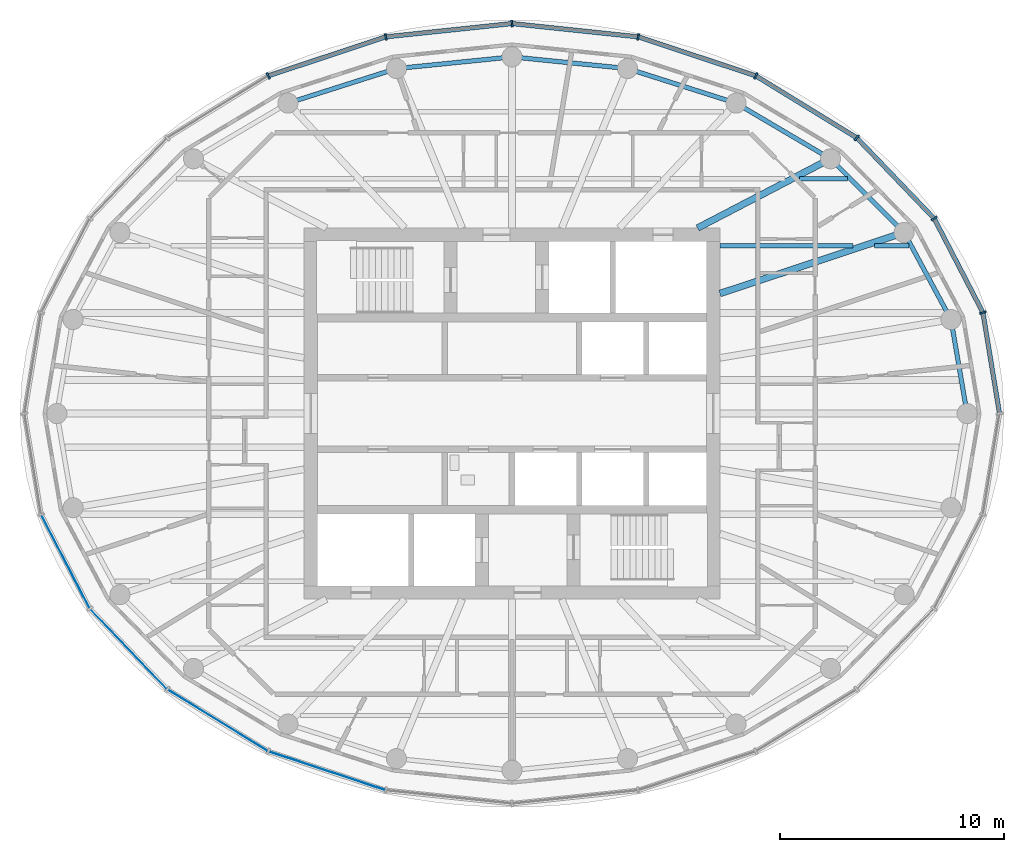
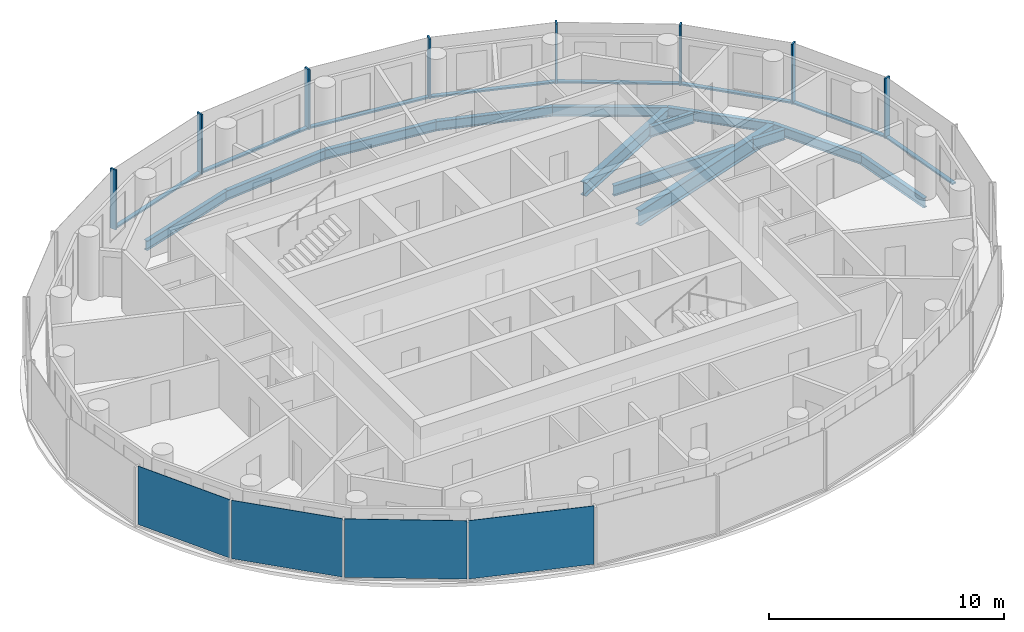
# One storey, part 3 of 12: 16 members, 13 beams, 4 plates, 3 elements without a shape of their own.
"""IFC4 building model written with IfcOpenShell, lengths in metres."""

from ifc_helpers import new_model, si_unit, direction, frame, origin, origin_2d, place, context, subcontext, project, spatial, rectangle, i_section, extrude, material, layer, layer_set, material_profile, profile_set, type_object, element, aggregate, save


model = new_model("IFC4")

# Units and contexts
model_context = context("Model", 3, precision=1e-05, world=origin(), true_north=direction((0.0, 1.0)))
body_context = subcontext(model_context, "Body", "Model", "MODEL_VIEW")
ifc_project = project(units=[si_unit("LENGTHUNIT", "METRE"), si_unit("AREAUNIT", "SQUARE_METRE"), si_unit("VOLUMEUNIT", "CUBIC_METRE"), si_unit("PLANEANGLEUNIT", "RADIAN"), si_unit("MASSUNIT", "GRAM", prefix="KILO")], contexts=[model_context])

# Site, building, storey
site_placement = place(None, origin())
site = spatial("IfcSite", under=ifc_project, at=site_placement, CompositionType="ELEMENT")
building_placement = place(site_placement, origin())
building = spatial("IfcBuilding", under=site, at=building_placement, Name="Hankou Lantern Tower", CompositionType="ELEMENT")
storey_placement = place(building_placement, frame((0.0, 0.0, 219.300048828125)))
storey = spatial("IfcBuildingStorey", under=building, at=storey_placement, Name="L59", CompositionType="ELEMENT", Elevation=219.300048828125)

# Beams
ifc_material_1 = material(Name="Steel Q355B", Category="steel")
ifc_material_profile_1 = material_profile(ifc_material_1, i_section(OverallWidth=0.199951171875, OverallDepth=0.5, WebThickness=0.010009765625, FlangeThickness=0.01611328125, FilletRadius=0.012939453125, at=origin_2d()), Name="HN500x200x10x16")
ifc_profile_set_1 = profile_set([ifc_material_profile_1], Name="Steel Q355B")
beam_type_1 = type_object("IfcBeamType", Name="EB5 RING BEAM HN500x200x10x16", PredefinedType="SPANDREL", material=ifc_profile_set_1)
beam_1_placement = place(storey_placement, frame((20.35009765625, 0.0, -0.429931640625), z_axis=(-0.168876512999, 0.98563721691, 0.0), x_axis=(-0.98563721691, -0.168876512999, 0.0)))
element("IfcBeam", 1, at=beam_1_placement, inside=storey, type_object=beam_type_1, Name="Ring beam R01-R02 L59", PredefinedType="SPANDREL", context=body_context, shape_type="SweptSolid", body=[
    extrude(i_section(OverallWidth=0.199951171875, OverallDepth=0.5, WebThickness=0.010009765625, FlangeThickness=0.01611328125, FilletRadius=0.012939453125, at=origin_2d()), origin(), (0.0, 0.0, 1.0), 4.26904296875),
])
beam_2_placement = place(storey_placement, frame((19.629150390625, 4.207763671875, -0.429931640625), z_axis=(-0.474491806611, 0.880259919262, 0.0), x_axis=(-0.880259919262, -0.474491806611, 0.0)))
element("IfcBeam", 2, at=beam_2_placement, inside=storey, type_object=beam_type_1, Name="Ring beam R02-R03 L59", PredefinedType="SPANDREL", context=body_context, shape_type="SweptSolid", body=[
    extrude(i_section(OverallWidth=0.199951171875, OverallDepth=0.5, WebThickness=0.010009765625, FlangeThickness=0.01611328125, FilletRadius=0.012939453125, at=origin_2d()), origin(), (0.0, 0.0, 1.0), 4.419189453125),
])
beam_3_placement = place(storey_placement, frame((17.5322265625, 8.097900390625, -0.429931640625), z_axis=(-0.706608588034, 0.707604623583, 0.0), x_axis=(-0.707604623583, -0.706608588034, 0.0)))
element("IfcBeam", 3, at=beam_3_placement, inside=storey, type_object=beam_type_1, Name="Ring beam R03-R04 L59", PredefinedType="SPANDREL", context=body_context, shape_type="SweptSolid", body=[
    extrude(i_section(OverallWidth=0.199951171875, OverallDepth=0.5, WebThickness=0.010009765625, FlangeThickness=0.01611328125, FilletRadius=0.012939453125, at=origin_2d()), origin(), (0.0, 0.0, 1.0), 4.6572265625),
])
beam_4_placement = place(storey_placement, frame((14.241455078125, 11.393310546875, -0.429931640625), z_axis=(-0.861422897323, 0.507888365655, 0.0), x_axis=(-0.507888365655, -0.861422897323, 0.0)))
element("IfcBeam", 4, at=beam_4_placement, inside=storey, type_object=beam_type_1, Name="Ring beam R04-R05 L59", PredefinedType="SPANDREL", context=body_context, shape_type="SweptSolid", body=[
    extrude(i_section(OverallWidth=0.199951171875, OverallDepth=0.5, WebThickness=0.010009765625, FlangeThickness=0.01611328125, FilletRadius=0.012939453125, at=origin_2d()), origin(), (0.0, 0.0, 1.0), 4.901611328125),
])
beam_5_placement = place(storey_placement, frame((10.01904296875, 13.8828125, -0.429931640625), z_axis=(-0.952887359315, 0.303324381574, 0.0), x_axis=(-0.303324381574, -0.952887359315, 0.0)))
element("IfcBeam", 5, at=beam_5_placement, inside=storey, type_object=beam_type_1, Name="Ring beam R05-R06 L59", PredefinedType="SPANDREL", context=body_context, shape_type="SweptSolid", body=[
    extrude(i_section(OverallWidth=0.199951171875, OverallDepth=0.5, WebThickness=0.010009765625, FlangeThickness=0.01611328125, FilletRadius=0.012939453125, at=origin_2d()), origin(), (0.0, 0.0, 1.0), 5.091796875),
])
for number, where, z_axis, x_axis, name in (
    (6, (5.167236328125, 15.42724609375, -0.429931640625), (-0.994922507736, 0.100643944676, 0.0), (-0.100643944676, -0.994922507736, 0.0), "Ring beam R06-R07 L59"),
    (7, (0.0, 15.949951171875, -0.429931640625), (-0.994922507736, -0.100643944676, 0.0), (0.100643944676, -0.994922507736, 0.0), "Ring beam R07-R08 L59"),
):
    element("IfcBeam", number, at=place(storey_placement, frame(where, z_axis=z_axis, x_axis=x_axis)), inside=storey, type_object=beam_type_1, Name=name, PredefinedType="SPANDREL", context=body_context, shape_type="SweptSolid", body=[
        extrude(i_section(OverallWidth=0.199951171875, OverallDepth=0.5, WebThickness=0.010009765625, FlangeThickness=0.01611328125, FilletRadius=0.012939453125, at=origin_2d()), origin(), (0.0, 0.0, 1.0), 5.193603515625),
    ])
beam_6_placement = place(storey_placement, frame((-5.167236328125, 15.42724609375, -0.429931640625), z_axis=(-0.952887359315, -0.303324381574, 0.0), x_axis=(0.303324381574, -0.952887359315, 0.0)))
element("IfcBeam", 8, at=beam_6_placement, inside=storey, type_object=beam_type_1, Name="Ring beam R08-R09 L59", PredefinedType="SPANDREL", context=body_context, shape_type="SweptSolid", body=[
    extrude(i_section(OverallWidth=0.199951171875, OverallDepth=0.5, WebThickness=0.010009765625, FlangeThickness=0.01611328125, FilletRadius=0.012939453125, at=origin_2d()), origin(), (0.0, 0.0, 1.0), 5.091796875),
])

# Curtain wall, members
ifc_material_2 = material(Name="Glass, dark grey tinted laminated", Category="glass")
curtain_wall_type = type_object("IfcCurtainWallType", Name="CWD OUTER SKIN SUITE", PredefinedType="USERDEFINED", material=ifc_material_2)
curtain_wall_1_placement = place(storey_placement, origin())
curtain_wall_1 = element("IfcCurtainWall", 9, at=curtain_wall_1_placement, inside=storey, type_object=curtain_wall_type, Name="CWD L59 OS1", ObjectType="OUTER SKIN SUITE", PredefinedType="USERDEFINED")
ifc_material_3 = material(Name="Aluminium, black anodised", Category="aluminium")
ifc_material_profile_2 = material_profile(ifc_material_3, rectangle(XDim=0.080078125, YDim=0.300048828125, at=origin_2d()), Name="MU1 80X300")
ifc_profile_set_2 = profile_set([ifc_material_profile_2], Name="Aluminium, black anodised")
member_type_1 = type_object("IfcMemberType", Name="MU1 OUTER SKIN MULLION 80X300", PredefinedType="MULLION", material=ifc_profile_set_2)
member_1_placement = place(storey_placement, frame((21.05712890625, 4.513916015625, 0.0), z_axis=(0.0, 0.0, 1.0), x_axis=(-0.317595577365, 0.94822626479, 0.0)))
member_1 = element("IfcMember", 10, at=member_1_placement, type_object=member_type_1, Name="CWD mullion 2", PredefinedType="MULLION", context=body_context, shape_type="SweptSolid", body=[
    extrude(rectangle(XDim=0.080078125, YDim=0.300048828125, at=origin_2d()), origin(), (0.0, 0.0, 1.0), 3.119873046875),
])
member_2_placement = place(storey_placement, frame((18.87939453125, 8.719970703125, 0.0), z_axis=(0.0, 0.0, 1.0), x_axis=(-0.585205735974, 0.810884854084, 0.0)))
member_2 = element("IfcMember", 11, at=member_2_placement, type_object=member_type_1, Name="CWD mullion 3", PredefinedType="MULLION", context=body_context, shape_type="SweptSolid", body=[
    extrude(rectangle(XDim=0.080078125, YDim=0.300048828125, at=origin_2d()), origin(), (0.0, 0.0, 1.0), 3.119873046875),
])
member_3_placement = place(storey_placement, frame((15.4150390625, 12.33203125, 0.0), z_axis=(0.0, 0.0, 1.0), x_axis=(-0.780868809444, 0.624695047553, 0.0)))
member_3 = element("IfcMember", 12, at=member_3_placement, type_object=member_type_1, Name="CWD mullion 4", PredefinedType="MULLION", context=body_context, shape_type="SweptSolid", body=[
    extrude(rectangle(XDim=0.080078125, YDim=0.300048828125, at=origin_2d()), origin(), (0.0, 0.0, 1.0), 3.119873046875),
])
member_4_placement = place(storey_placement, frame((10.89990234375, 15.103515625, 0.0), z_axis=(0.0, 0.0, 1.0), x_axis=(-0.907841299004, 0.419313934686, 0.0)))
member_4 = element("IfcMember", 13, at=member_4_placement, type_object=member_type_1, Name="CWD mullion 5", PredefinedType="MULLION", context=body_context, shape_type="SweptSolid", body=[
    extrude(rectangle(XDim=0.080078125, YDim=0.300048828125, at=origin_2d()), origin(), (0.0, 0.0, 1.0), 3.119873046875),
])
member_5_placement = place(storey_placement, frame((5.642333984375, 16.845703125, 0.0), z_axis=(0.0, 0.0, 1.0), x_axis=(-0.977787659625, 0.209597931016, 0.0)))
member_5 = element("IfcMember", 14, at=member_5_placement, type_object=member_type_1, Name="CWD mullion 6", PredefinedType="MULLION", context=body_context, shape_type="SweptSolid", body=[
    extrude(rectangle(XDim=0.080078125, YDim=0.300048828125, at=origin_2d()), origin(), (0.0, 0.0, 1.0), 3.119873046875),
])

curtain_wall_2_placement = place(storey_placement, origin())
curtain_wall_2 = element("IfcCurtainWall", 15, at=curtain_wall_2_placement, inside=storey, type_object=curtain_wall_type, Name="CWD L59 OS2", ObjectType="OUTER SKIN SUITE", PredefinedType="USERDEFINED")
member_6_placement = place(storey_placement, frame((0.0, 17.43994140625, 0.0), z_axis=(0.0, 0.0, 1.0), x_axis=(-0.994499359107, -0.104742659579, 0.0)))
member_6 = element("IfcMember", 16, at=member_6_placement, type_object=member_type_1, Name="CWD mullion 1", PredefinedType="MULLION", context=body_context, shape_type="SweptSolid", body=[
    extrude(rectangle(XDim=0.080078125, YDim=0.300048828125, at=origin_2d()), origin(), (0.0, 0.0, 1.0), 3.119873046875),
])
member_7_placement = place(storey_placement, frame((-5.642333984375, 16.845703125, 0.0), z_axis=(0.0, 0.0, 1.0), x_axis=(-0.977787659625, -0.209597931016, 0.0)))
member_7 = element("IfcMember", 17, at=member_7_placement, type_object=member_type_1, Name="CWD mullion 2", PredefinedType="MULLION", context=body_context, shape_type="SweptSolid", body=[
    extrude(rectangle(XDim=0.080078125, YDim=0.300048828125, at=origin_2d()), origin(), (0.0, 0.0, 1.0), 3.119873046875),
])
member_8_placement = place(storey_placement, frame((-10.89990234375, 15.103515625, 0.0), z_axis=(0.0, 0.0, 1.0), x_axis=(-0.907841299004, -0.419313934686, 0.0)))
member_8 = element("IfcMember", 18, at=member_8_placement, type_object=member_type_1, Name="CWD mullion 3", PredefinedType="MULLION", context=body_context, shape_type="SweptSolid", body=[
    extrude(rectangle(XDim=0.080078125, YDim=0.300048828125, at=origin_2d()), origin(), (0.0, 0.0, 1.0), 3.119873046875),
])

# Beams
ifc_material_4 = material(Name="Steel Q355B", Category="steel")
ifc_material_profile_3 = material_profile(ifc_material_4, i_section(OverallWidth=0.300048828125, OverallDepth=0.800048828125, WebThickness=0.013916015625, FlangeThickness=0.02587890625, FilletRadius=0.01806640625, at=origin_2d()), Name="HN800x300x14x26")
ifc_profile_set_3 = profile_set([ifc_material_profile_3], Name="Steel Q355B")
beam_type_2 = type_object("IfcBeamType", Name="RB11 RADIAL BEAM HN800x300x14x26", PredefinedType="BEAM", material=ifc_profile_set_3)
beam_7_placement = place(storey_placement, frame((9.300048828125, 5.369384765625, -0.580078125), z_axis=(0.949219608576, 0.314614263337, 0.0), x_axis=(-0.314614263337, 0.949219608576, 0.0)))
element("IfcBeam", 19, at=beam_7_placement, inside=storey, type_object=beam_type_2, Name="Radial beam R03 L59", PredefinedType="BEAM", context=body_context, shape_type="SweptSolid", body=[
    extrude(i_section(OverallWidth=0.300048828125, OverallDepth=0.800048828125, WebThickness=0.013916015625, FlangeThickness=0.02587890625, FilletRadius=0.01806640625, at=origin_2d()), origin(), (0.0, 0.0, 1.0), 8.672607421875),
])
ifc_material_5 = material(Name="Steel Q355B", Category="steel")
ifc_material_profile_4 = material_profile(ifc_material_5, i_section(OverallWidth=0.300048828125, OverallDepth=0.699951171875, WebThickness=0.012939453125, FlangeThickness=0.02392578125, FilletRadius=0.01806640625, at=origin_2d()), Name="HN700x300x13x24")
ifc_profile_set_4 = profile_set([ifc_material_profile_4], Name="Steel Q355B")
beam_type_3 = type_object("IfcBeamType", Name="RB9 RADIAL BEAM HN700x300x13x24", PredefinedType="BEAM", material=ifc_profile_set_4)
beam_8_placement = place(storey_placement, frame((8.300048828125, 8.300048828125, -0.530029296875), z_axis=(0.886988734783, 0.461791061378, 0.0), x_axis=(-0.461791061378, 0.886988734783, 0.0)))
element("IfcBeam", 20, at=beam_8_placement, inside=storey, type_object=beam_type_3, Name="Radial beam R04 L59", PredefinedType="BEAM", context=body_context, shape_type="SweptSolid", body=[
    extrude(i_section(OverallWidth=0.300048828125, OverallDepth=0.699951171875, WebThickness=0.012939453125, FlangeThickness=0.02392578125, FilletRadius=0.01806640625, at=origin_2d()), origin(), (0.0, 0.0, 1.0), 6.698486328125),
])
ifc_material_6 = material(Name="Steel Q355B", Category="steel")
ifc_material_profile_5 = material_profile(ifc_material_6, i_section(OverallWidth=0.199951171875, OverallDepth=0.550048828125, WebThickness=0.010009765625, FlangeThickness=0.01611328125, FilletRadius=0.012939453125, at=origin_2d()), Name="HN550x200x10x16")
ifc_profile_set_5 = profile_set([ifc_material_profile_5], Name="Steel Q355B")
beam_type_4 = type_object("IfcBeamType", Name="SB6 SECONDARY BEAM HN550x200x10x16", PredefinedType="JOIST", material=ifc_profile_set_5)
beam_9_placement = place(storey_placement, frame((9.300048828125, 7.5, -0.455078125), z_axis=(1.0, 0.0, 0.0), x_axis=(0.0, 1.0, 0.0)))
element("IfcBeam", 21, at=beam_9_placement, inside=storey, type_object=beam_type_4, Name="Floor joist J027 L59", PredefinedType="JOIST", context=body_context, shape_type="SweptSolid", body=[
    extrude(i_section(OverallWidth=0.199951171875, OverallDepth=0.550048828125, WebThickness=0.010009765625, FlangeThickness=0.01611328125, FilletRadius=0.012939453125, at=origin_2d()), origin(), (0.0, 0.0, 1.0), 5.95166015625),
])
beam_10_placement = place(storey_placement, frame((16.205322265625, 7.5, -0.455078125), z_axis=(1.0, 0.0, 0.0), x_axis=(0.0, 1.0, 0.0)))
element("IfcBeam", 22, at=beam_10_placement, inside=storey, type_object=beam_type_4, Name="Floor joist J028 L59", PredefinedType="JOIST", context=body_context, shape_type="SweptSolid", body=[
    extrude(i_section(OverallWidth=0.199951171875, OverallDepth=0.550048828125, WebThickness=0.010009765625, FlangeThickness=0.01611328125, FilletRadius=0.012939453125, at=origin_2d()), origin(), (0.0, 0.0, 1.0), 1.53564453125),
])
beam_11_placement = place(storey_placement, frame((12.8505859375, 10.5, -0.455078125), z_axis=(1.0, 0.0, 0.0), x_axis=(0.0, 1.0, 0.0)))
element("IfcBeam", 23, at=beam_11_placement, inside=storey, type_object=beam_type_4, Name="Floor joist J036 L59", PredefinedType="JOIST", context=body_context, shape_type="SweptSolid", body=[
    extrude(i_section(OverallWidth=0.199951171875, OverallDepth=0.550048828125, WebThickness=0.010009765625, FlangeThickness=0.01611328125, FilletRadius=0.012939453125, at=origin_2d()), origin(), (0.0, 0.0, 1.0), 2.1416015625),
])

# Member
ifc_material_7 = material(Name="Aluminium, black anodised", Category="aluminium")
ifc_material_profile_6 = material_profile(ifc_material_7, rectangle(XDim=0.199951171875, YDim=0.080078125, at=origin_2d()), Name="TR1 200X80")
ifc_profile_set_6 = profile_set([ifc_material_profile_6], Name="Aluminium, black anodised")
member_type_2 = type_object("IfcMemberType", Name="TR1 OUTER SKIN TRANSOM 200X80", PredefinedType="USERDEFINED", material=ifc_profile_set_6)
member_9_placement = place(storey_placement, frame((21.79345703125, 0.03955078125, 0.0400390625), z_axis=(-0.162363822839, 0.986730960816, 0.0), x_axis=(-0.986730960816, -0.162363822839, 0.0)))
member_9 = element("IfcMember", 24, at=member_9_placement, type_object=member_type_2, Name="CWD transom 1", ObjectType="TRANSOM", PredefinedType="USERDEFINED", context=body_context, shape_type="SweptSolid", body=[
    extrude(rectangle(XDim=0.199951171875, YDim=0.080078125, at=origin_2d()), origin(), (0.0, 0.0, 1.0), 4.494384765625),
])

member_10_placement = place(storey_placement, frame((21.038818359375, 4.54931640625, 0.0400390625), z_axis=(-0.45979371115, 0.888025755925, 0.0), x_axis=(-0.888025755925, -0.45979371115, 0.0)))
member_10 = element("IfcMember", 25, at=member_10_placement, type_object=member_type_2, Name="CWD transom 2", ObjectType="TRANSOM", PredefinedType="USERDEFINED", context=body_context, shape_type="SweptSolid", body=[
    extrude(rectangle(XDim=0.199951171875, YDim=0.080078125, at=origin_2d()), origin(), (0.0, 0.0, 1.0), 4.65673828125),
])

member_11_placement = place(storey_placement, frame((18.8515625, 8.748779296875, 0.0400390625), z_axis=(-0.692204633274, 0.721701285626, 0.0), x_axis=(-0.721701285626, -0.692204633274, 0.0)))
member_11 = element("IfcMember", 26, at=member_11_placement, type_object=member_type_2, Name="CWD transom 3", ObjectType="TRANSOM", PredefinedType="USERDEFINED", context=body_context, shape_type="SweptSolid", body=[
    extrude(rectangle(XDim=0.199951171875, YDim=0.080078125, at=origin_2d()), origin(), (0.0, 0.0, 1.0), 4.9248046875),
])

member_12_placement = place(storey_placement, frame((15.380859375, 12.352783203125, 0.0400390625), z_axis=(-0.852234544008, 0.523159900986, 0.0), x_axis=(-0.523159900986, -0.852234544008, 0.0)))
member_12 = element("IfcMember", 27, at=member_12_placement, type_object=member_type_2, Name="CWD transom 4", ObjectType="TRANSOM", PredefinedType="USERDEFINED", context=body_context, shape_type="SweptSolid", body=[
    extrude(rectangle(XDim=0.199951171875, YDim=0.080078125, at=origin_2d()), origin(), (0.0, 0.0, 1.0), 5.2177734375),
])

member_13_placement = place(storey_placement, frame((10.862060546875, 15.115966796875, 0.0400390625), z_axis=(-0.949231947668, 0.314577032739, 0.0), x_axis=(-0.314577032739, -0.949231947668, 0.0)))
member_13 = element("IfcMember", 28, at=member_13_placement, type_object=member_type_2, Name="CWD transom 5", ObjectType="TRANSOM", PredefinedType="USERDEFINED", context=body_context, shape_type="SweptSolid", body=[
    extrude(rectangle(XDim=0.199951171875, YDim=0.080078125, at=origin_2d()), origin(), (0.0, 0.0, 1.0), 5.458984375),
])

member_14_placement = place(storey_placement, frame((5.6025390625, 16.849853515625, 0.0400390625), z_axis=(-0.994498275726, 0.104752945435, 0.0), x_axis=(-0.104752945435, -0.994498275726, 0.0)))
member_14 = element("IfcMember", 29, at=member_14_placement, type_object=member_type_2, Name="CWD transom 6", ObjectType="TRANSOM", PredefinedType="USERDEFINED", context=body_context, shape_type="SweptSolid", body=[
    extrude(rectangle(XDim=0.199951171875, YDim=0.080078125, at=origin_2d()), origin(), (0.0, 0.0, 1.0), 5.593505859375),
])

aggregate(curtain_wall_1, [member_1, member_2, member_3, member_4, member_5, member_9, member_10, member_11, member_12, member_13, member_14])

member_15_placement = place(storey_placement, frame((-0.039794921875, 17.435791015625, 0.0400390625), z_axis=(-0.994498275726, -0.104752945435, 0.0), x_axis=(0.104752945435, -0.994498275726, 0.0)))
member_15 = element("IfcMember", 30, at=member_15_placement, type_object=member_type_2, Name="CWD transom 1", ObjectType="TRANSOM", PredefinedType="USERDEFINED", context=body_context, shape_type="SweptSolid", body=[
    extrude(rectangle(XDim=0.199951171875, YDim=0.080078125, at=origin_2d()), origin(), (0.0, 0.0, 1.0), 5.593505859375),
])

member_16_placement = place(storey_placement, frame((-5.68017578125, 16.833251953125, 0.0400390625), z_axis=(-0.949231947668, -0.314577032739, 0.0), x_axis=(0.314577032739, -0.949231947668, 0.0)))
member_16 = element("IfcMember", 31, at=member_16_placement, type_object=member_type_2, Name="CWD transom 2", ObjectType="TRANSOM", PredefinedType="USERDEFINED", context=body_context, shape_type="SweptSolid", body=[
    extrude(rectangle(XDim=0.199951171875, YDim=0.080078125, at=origin_2d()), origin(), (0.0, 0.0, 1.0), 5.458984375),
])

aggregate(curtain_wall_2, [member_6, member_7, member_8, member_15, member_16])

# Curtain wall, plates
curtain_wall_3_placement = place(storey_placement, origin())
curtain_wall_3 = element("IfcCurtainWall", 32, at=curtain_wall_3_placement, inside=storey, type_object=curtain_wall_type, Name="CWD L59 OS3", ObjectType="OUTER SKIN SUITE", PredefinedType="USERDEFINED")
ifc_material_8 = material(Name="Glass, dark grey tinted laminated", Category="glass")
ifc_layer = layer(ifc_material_8, 0.02392578125)
ifc_layer_set = layer_set([ifc_layer], Name="Glass, dark grey tinted laminated")
plate_type = type_object("IfcPlateType", Name="PN1 OUTER SKIN GLASS PANEL", PredefinedType="CURTAIN_PANEL", material=ifc_layer_set)
plate_1_placement = place(storey_placement, frame((-19.96826171875, -6.616943359375, 0.079833984375), z_axis=(0.0, 0.0, 1.0), x_axis=(0.459791091957, -0.888027112062, 0.0)))
plate_1 = element("IfcPlate", 33, at=plate_1_placement, type_object=plate_type, Name="CWD glass panel 2", PredefinedType="CURTAIN_PANEL", context=body_context, shape_type="SweptSolid", body=[
    extrude(rectangle(XDim=4.656494140625, YDim=0.02392578125, at=origin_2d()), origin(), (0.0, 0.0, 1.0), 3.0400390625),
])
plate_2_placement = place(storey_placement, frame((-17.147216796875, -10.52587890625, 0.079833984375), z_axis=(0.0, 0.0, 1.0), x_axis=(0.692215809936, -0.721690565599, 0.0)))
plate_2 = element("IfcPlate", 34, at=plate_2_placement, type_object=plate_type, Name="CWD glass panel 3", PredefinedType="CURTAIN_PANEL", context=body_context, shape_type="SweptSolid", body=[
    extrude(rectangle(XDim=4.9248046875, YDim=0.02392578125, at=origin_2d()), origin(), (0.0, 0.0, 1.0), 3.0400390625),
])
plate_3_placement = place(storey_placement, frame((-13.157470703125, -13.7177734375, 0.079833984375), z_axis=(0.0, 0.0, 1.0), x_axis=(0.852237151549, -0.523155653242, 0.0)))
plate_3 = element("IfcPlate", 35, at=plate_3_placement, type_object=plate_type, Name="CWD glass panel 4", PredefinedType="CURTAIN_PANEL", context=body_context, shape_type="SweptSolid", body=[
    extrude(rectangle(XDim=5.2177734375, YDim=0.02392578125, at=origin_2d()), origin(), (0.0, 0.0, 1.0), 3.0400390625),
])
plate_4_placement = place(storey_placement, frame((-8.271240234375, -15.974609375, 0.079833984375), z_axis=(0.0, 0.0, 1.0), x_axis=(0.949240677293, -0.31455068999, 0.0)))
plate_4 = element("IfcPlate", 36, at=plate_4_placement, type_object=plate_type, Name="CWD glass panel 5", PredefinedType="CURTAIN_PANEL", context=body_context, shape_type="SweptSolid", body=[
    extrude(rectangle(XDim=5.458984375, YDim=0.02392578125, at=origin_2d()), origin(), (0.0, 0.0, 1.0), 3.0400390625),
])
aggregate(curtain_wall_3, [plate_1, plate_2, plate_3, plate_4])

save(model, "model.ifc")
